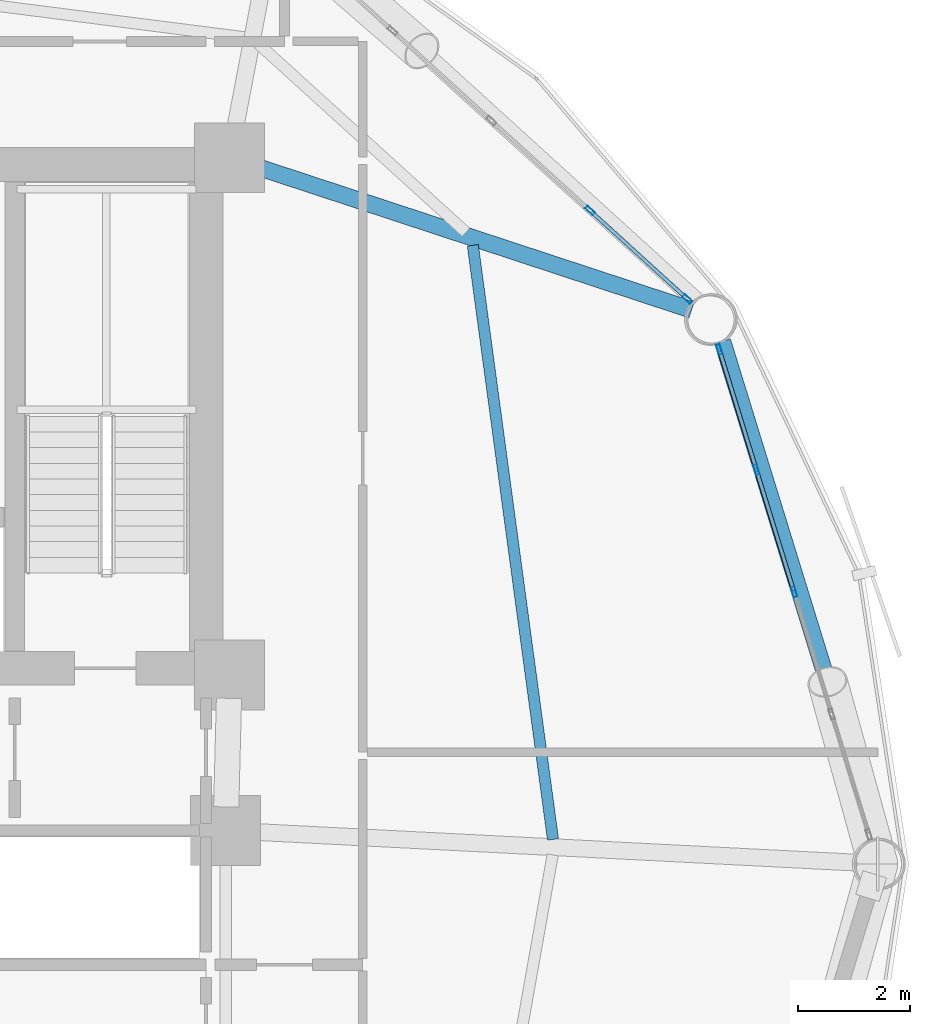
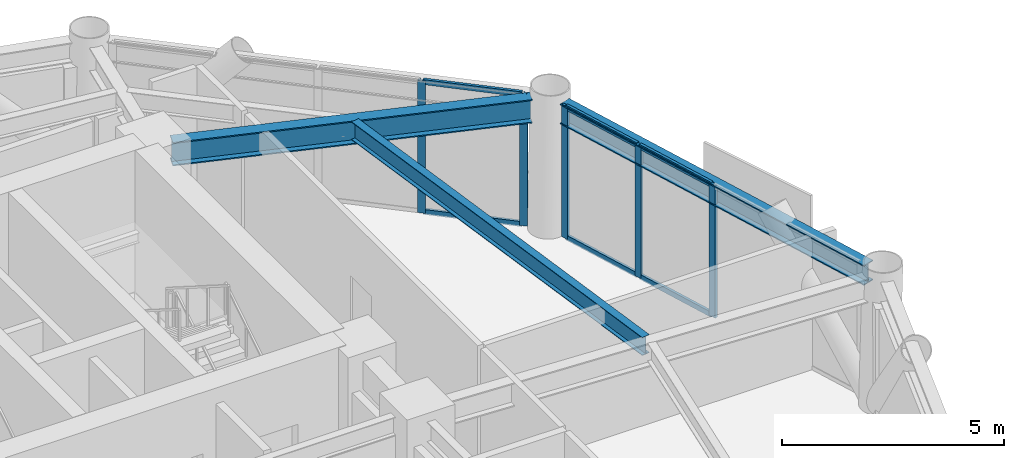
# One storey, part 14 of 25: 11 members, 3 beams, 2 elements without a shape of their own.
"""IFC4 building model written with IfcOpenShell, lengths in metres."""

from ifc_helpers import new_model, si_unit, direction, frame, origin, origin_2d, place, context, subcontext, project, spatial, hollow_rectangle, i_section, extrude, material, layer, layer_set, material_profile, profile_set, type_object, element, aggregate, save


model = new_model("IFC4")

# Units and contexts
model_context = context("Model", 3, precision=1e-05, world=origin(), true_north=direction((0.0, 1.0)))
body_context = subcontext(model_context, "Body", "Model", "MODEL_VIEW")
ifc_project = project(units=[si_unit("LENGTHUNIT", "METRE"), si_unit("AREAUNIT", "SQUARE_METRE"), si_unit("VOLUMEUNIT", "CUBIC_METRE"), si_unit("PLANEANGLEUNIT", "RADIAN"), si_unit("MASSUNIT", "GRAM", prefix="KILO")], contexts=[model_context])

# Site, building, storey
site_placement = place(None, origin())
site = spatial("IfcSite", under=ifc_project, at=site_placement, CompositionType="ELEMENT")
building_placement = place(site_placement, origin())
building = spatial("IfcBuilding", under=site, at=building_placement, Name="Varnakorn Sky Granary", CompositionType="ELEMENT")
storey_placement = place(building_placement, frame((0.0, 0.0, 62.699951171875)))
storey = spatial("IfcBuildingStorey", under=building, at=storey_placement, Name="L15", CompositionType="ELEMENT", Elevation=62.699951171875)

# Beams
ifc_material_1 = material(Name="Steel S355JR", Category="steel")
ifc_material_profile_1 = material_profile(ifc_material_1, i_section(OverallWidth=0.300048828125, OverallDepth=0.64990234375, WebThickness=0.01611328125, FlangeThickness=0.031005859375, at=origin_2d()), Name="HE 650 B")
ifc_profile_set_1 = profile_set([ifc_material_profile_1], Name="Steel S355JR")
beam_type_1 = type_object("IfcBeamType", Name="BM-RAD-Z1", PredefinedType="BEAM", material=ifc_profile_set_1)
beam_1_placement = place(storey_placement, frame((8.81884765625, 12.48876953125, 3.31494140625), z_axis=(0.949848310715, -0.312711027359, 0.0), x_axis=(0.312711027359, 0.949848310715, 0.0)))
element("IfcBeam", 1, at=beam_1_placement, inside=storey, type_object=beam_type_1, Name="Radial Floor Girder RG02 L15", PredefinedType="BEAM", context=body_context, shape_type="SweptSolid", body=[
    extrude(i_section(OverallWidth=0.300048828125, OverallDepth=0.64990234375, WebThickness=0.01611328125, FlangeThickness=0.031005859375, at=origin_2d()), origin(), (0.0, 0.0, 1.0), 8.2734375),
])
ifc_material_profile_2 = material_profile(ifc_material_1, i_section(OverallWidth=0.199951171875, OverallDepth=0.5, WebThickness=0.01025390625, FlangeThickness=0.01611328125, at=origin_2d()), Name="IPE 500")
ifc_profile_set_2 = profile_set([ifc_material_profile_2], Name="Steel S355JR")
beam_type_2 = type_object("IfcBeamType", Name="BM-SEC-Z1", PredefinedType="BEAM", material=ifc_profile_set_2)
beam_2_placement = place(storey_placement, frame((14.19970703125, 0.439208984375, 3.39013671875), z_axis=(-0.133744301021, 0.99101587371, 0.0), x_axis=(-0.99101587371, -0.133744301021, 0.0)))
element("IfcBeam", 2, at=beam_2_placement, inside=storey, type_object=beam_type_2, Name="Secondary Floor Chord Beam MSB01 L15", PredefinedType="BEAM", context=body_context, shape_type="SweptSolid", body=[
    extrude(i_section(OverallWidth=0.199951171875, OverallDepth=0.5, WebThickness=0.01025390625, FlangeThickness=0.01611328125, at=origin_2d()), origin(), (0.0, 0.0, 1.0), 10.71337890625),
])
ifc_material_profile_3 = material_profile(ifc_material_1, i_section(OverallWidth=0.300048828125, OverallDepth=0.550048828125, WebThickness=0.014892578125, FlangeThickness=0.029052734375, at=origin_2d()), Name="HE 550 B")
ifc_profile_set_3 = profile_set([ifc_material_profile_3], Name="Steel S355JR")
beam_type_3 = type_object("IfcBeamType", Name="BM-SPD-Z1", PredefinedType="SPANDREL", material=ifc_profile_set_3)
beam_3_placement = place(storey_placement, frame((19.978759765625, 0.42236328125, 3.364990234375), z_axis=(-0.294795272919, 0.955560436113, 0.0), x_axis=(-0.955560436113, -0.294795272919, 0.0)))
element("IfcBeam", 3, at=beam_3_placement, inside=storey, type_object=beam_type_3, Name="Perimeter Spandrel Ring Beam RB01 L15", PredefinedType="SPANDREL", context=body_context, shape_type="SweptSolid", body=[
    extrude(i_section(OverallWidth=0.300048828125, OverallDepth=0.550048828125, WebThickness=0.014892578125, FlangeThickness=0.029052734375, at=origin_2d()), origin(), (0.0, 0.0, 1.0), 9.33349609375),
])

# Curtain wall, members
ifc_material_2 = material(Name="Anodised Bronze Aluminium Alloy 6063-T6", Category="aluminium")
ifc_layer = layer(ifc_material_2, 0.18994140625, Name="Anodised Bronze Aluminium Alloy 6063-T6")
ifc_layer_set = layer_set([ifc_layer], Name="Anodised Bronze Aluminium Alloy 6063-T6")
curtain_wall_type = type_object("IfcCurtainWallType", Name="CW-FRM-1", PredefinedType="USERDEFINED", material=ifc_layer_set)
curtain_wall_1_placement = place(storey_placement, origin())
curtain_wall_1 = element("IfcCurtainWall", 4, at=curtain_wall_1_placement, inside=storey, type_object=curtain_wall_type, Name="Unitised Curtain Wall CW3 CW-L15-B01", ObjectType="CURTAIN WALL", PredefinedType="USERDEFINED")
ifc_material_profile_4 = material_profile(ifc_material_2, hollow_rectangle(XDim=0.070068359375, YDim=0.18505859375, WallThickness=0.00390625, at=origin_2d()), Name="ALU MULL 70x185")
ifc_profile_set_4 = profile_set([ifc_material_profile_4], Name="Anodised Bronze Aluminium Alloy 6063-T6")
member_type_1 = type_object("IfcMemberType", Name="CW-FRM-1-MULL", PredefinedType="MULLION", material=ifc_profile_set_4)
member_1_placement = place(storey_placement, frame((17.17041015625, 9.196533203125, 0.0), z_axis=(0.0, 0.0, 1.0), x_axis=(0.955606663525, 0.294645387928, 0.0)))
member_1 = element("IfcMember", 5, at=member_1_placement, type_object=member_type_1, Name="CW3 mullion 1", PredefinedType="MULLION", context=body_context, shape_type="SweptSolid", body=[
    extrude(hollow_rectangle(XDim=0.070068359375, YDim=0.18505859375, WallThickness=0.00390625, at=origin_2d()), origin(), (0.0, 0.0, 1.0), 3.64013671875),
])
member_2_placement = place(storey_placement, frame((17.83349609375, 7.0458984375, 0.0), z_axis=(0.0, 0.0, 1.0), x_axis=(0.955606663525, 0.294645387928, 0.0)))
member_2 = element("IfcMember", 6, at=member_2_placement, type_object=member_type_1, Name="CW3 mullion 2", PredefinedType="MULLION", context=body_context, shape_type="SweptSolid", body=[
    extrude(hollow_rectangle(XDim=0.070068359375, YDim=0.18505859375, WallThickness=0.00390625, at=origin_2d()), origin(), (0.0, 0.0, 1.0), 3.64013671875),
])
member_3_placement = place(storey_placement, frame((18.5068359375, 4.862060546875, 0.0), z_axis=(0.0, 0.0, 1.0), x_axis=(0.955606663525, 0.294645387928, 0.0)))
member_3 = element("IfcMember", 7, at=member_3_placement, type_object=member_type_1, Name="CW3 mullion 3", PredefinedType="MULLION", context=body_context, shape_type="SweptSolid", body=[
    extrude(hollow_rectangle(XDim=0.070068359375, YDim=0.18505859375, WallThickness=0.00390625, at=origin_2d()), origin(), (0.0, 0.0, 1.0), 3.64013671875),
])

curtain_wall_2_placement = place(storey_placement, origin())
curtain_wall_2 = element("IfcCurtainWall", 8, at=curtain_wall_2_placement, inside=storey, type_object=curtain_wall_type, Name="Unitised Curtain Wall CW3 CW-L15-B02", ObjectType="CURTAIN WALL", PredefinedType="USERDEFINED")
member_4_placement = place(storey_placement, frame((14.861083984375, 11.677734375, 0.0), z_axis=(0.0, 0.0, 1.0), x_axis=(0.673050871898, 0.739596189712, 0.0)))
member_4 = element("IfcMember", 9, at=member_4_placement, type_object=member_type_1, Name="CW3 mullion 4", PredefinedType="MULLION", context=body_context, shape_type="SweptSolid", body=[
    extrude(hollow_rectangle(XDim=0.070068359375, YDim=0.18505859375, WallThickness=0.00390625, at=origin_2d()), origin(), (0.0, 0.0, 1.0), 3.64013671875),
])
member_5_placement = place(storey_placement, frame((16.599609375, 10.095458984375, 0.0), z_axis=(0.0, 0.0, 1.0), x_axis=(0.673050871898, 0.739596189712, 0.0)))
member_5 = element("IfcMember", 10, at=member_5_placement, type_object=member_type_1, Name="CW3 mullion 5", PredefinedType="MULLION", context=body_context, shape_type="SweptSolid", body=[
    extrude(hollow_rectangle(XDim=0.070068359375, YDim=0.18505859375, WallThickness=0.00390625, at=origin_2d()), origin(), (0.0, 0.0, 1.0), 3.64013671875),
])

# Member
ifc_material_profile_5 = material_profile(ifc_material_2, hollow_rectangle(XDim=0.070068359375, YDim=0.139892578125, WallThickness=0.00341796875, at=origin_2d()), Name="ALU TRAN 70x140")
ifc_profile_set_5 = profile_set([ifc_material_profile_5], Name="Anodised Bronze Aluminium Alloy 6063-T6")
member_type_2 = type_object("IfcMemberType", Name="CW-FRM-1-TRAN", PredefinedType="USERDEFINED", material=ifc_profile_set_5)
member_6_placement = place(storey_placement, frame((17.1806640625, 9.1630859375, 0.03515625), z_axis=(0.29468372837, -0.955594841046, 0.0), x_axis=(0.955594841046, 0.29468372837, 0.0)))
member_6 = element("IfcMember", 11, at=member_6_placement, type_object=member_type_2, Name="CW3 transom 1.1", ObjectType="TRANSOM", PredefinedType="USERDEFINED", context=body_context, shape_type="SweptSolid", body=[
    extrude(hollow_rectangle(XDim=0.070068359375, YDim=0.139892578125, WallThickness=0.00341796875, at=origin_2d()), origin(), (0.0, 0.0, 1.0), 2.1806640625),
])

member_7_placement = place(storey_placement, frame((17.1806640625, 9.1630859375, 3.60498046875), z_axis=(0.29468372837, -0.955594841046, 0.0), x_axis=(0.955594841046, 0.29468372837, 0.0)))
member_7 = element("IfcMember", 12, at=member_7_placement, type_object=member_type_2, Name="CW3 transom 1.2", ObjectType="TRANSOM", PredefinedType="USERDEFINED", context=body_context, shape_type="SweptSolid", body=[
    extrude(hollow_rectangle(XDim=0.070068359375, YDim=0.139892578125, WallThickness=0.00341796875, at=origin_2d()), origin(), (0.0, 0.0, 1.0), 2.1806640625),
])

member_8_placement = place(storey_placement, frame((17.84375, 7.012451171875, 0.03515625), z_axis=(0.294689836062, -0.955592957551, 0.0), x_axis=(0.955592957551, 0.294689836062, 0.0)))
member_8 = element("IfcMember", 13, at=member_8_placement, type_object=member_type_2, Name="CW3 transom 2.1", ObjectType="TRANSOM", PredefinedType="USERDEFINED", context=body_context, shape_type="SweptSolid", body=[
    extrude(hollow_rectangle(XDim=0.070068359375, YDim=0.139892578125, WallThickness=0.00341796875, at=origin_2d()), origin(), (0.0, 0.0, 1.0), 2.21533203125),
])

member_9_placement = place(storey_placement, frame((17.84375, 7.012451171875, 3.60498046875), z_axis=(0.294689836062, -0.955592957551, 0.0), x_axis=(0.955592957551, 0.294689836062, 0.0)))
member_9 = element("IfcMember", 14, at=member_9_placement, type_object=member_type_2, Name="CW3 transom 2.2", ObjectType="TRANSOM", PredefinedType="USERDEFINED", context=body_context, shape_type="SweptSolid", body=[
    extrude(hollow_rectangle(XDim=0.070068359375, YDim=0.139892578125, WallThickness=0.00341796875, at=origin_2d()), origin(), (0.0, 0.0, 1.0), 2.21533203125),
])

aggregate(curtain_wall_1, [member_1, member_2, member_3, member_6, member_7, member_8, member_9])

member_10_placement = place(storey_placement, frame((14.886962890625, 11.654052734375, 0.03515625), z_axis=(0.739615443483, -0.673029713877, 0.0), x_axis=(0.673029713877, 0.739615443483, 0.0)))
member_10 = element("IfcMember", 15, at=member_10_placement, type_object=member_type_2, Name="CW3 transom 4.1", ObjectType="TRANSOM", PredefinedType="USERDEFINED", context=body_context, shape_type="SweptSolid", body=[
    extrude(hollow_rectangle(XDim=0.070068359375, YDim=0.139892578125, WallThickness=0.00341796875, at=origin_2d()), origin(), (0.0, 0.0, 1.0), 2.280517578125),
])

member_11_placement = place(storey_placement, frame((14.886962890625, 11.654052734375, 3.60498046875), z_axis=(0.739615443483, -0.673029713877, 0.0), x_axis=(0.673029713877, 0.739615443483, 0.0)))
member_11 = element("IfcMember", 16, at=member_11_placement, type_object=member_type_2, Name="CW3 transom 4.2", ObjectType="TRANSOM", PredefinedType="USERDEFINED", context=body_context, shape_type="SweptSolid", body=[
    extrude(hollow_rectangle(XDim=0.070068359375, YDim=0.139892578125, WallThickness=0.00341796875, at=origin_2d()), origin(), (0.0, 0.0, 1.0), 2.280517578125),
])

aggregate(curtain_wall_2, [member_4, member_5, member_10, member_11])

save(model, "model.ifc")
